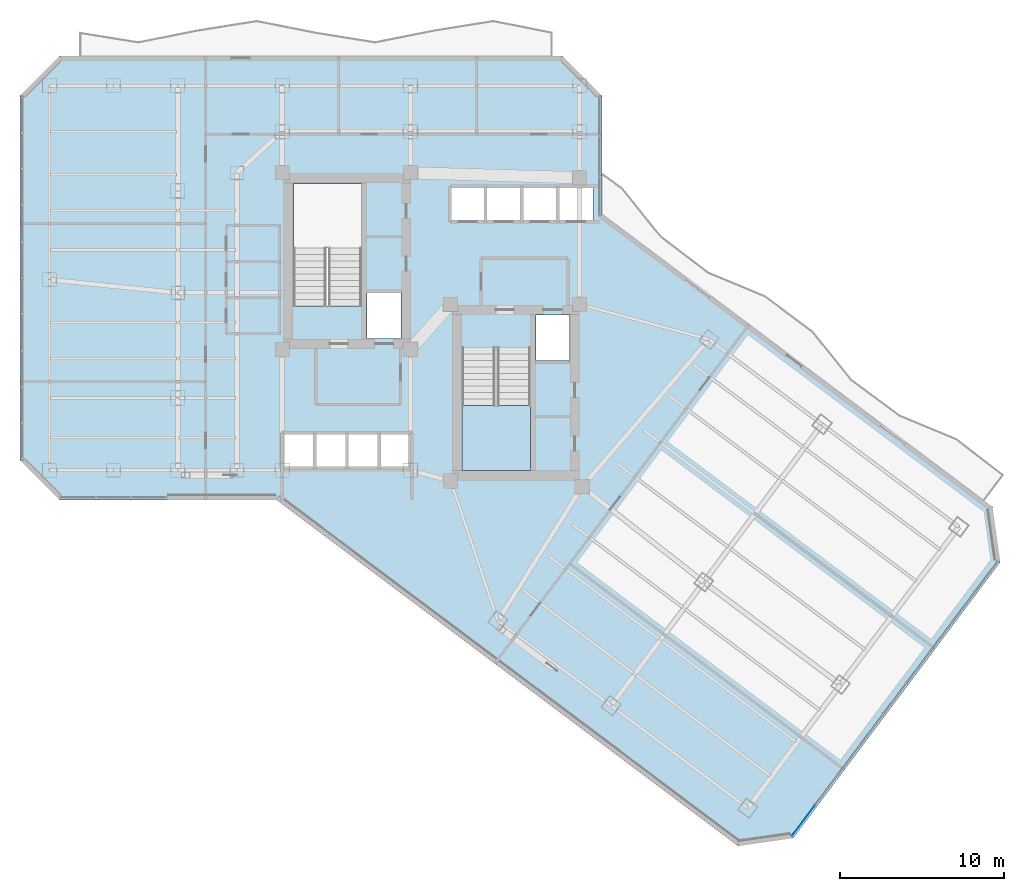
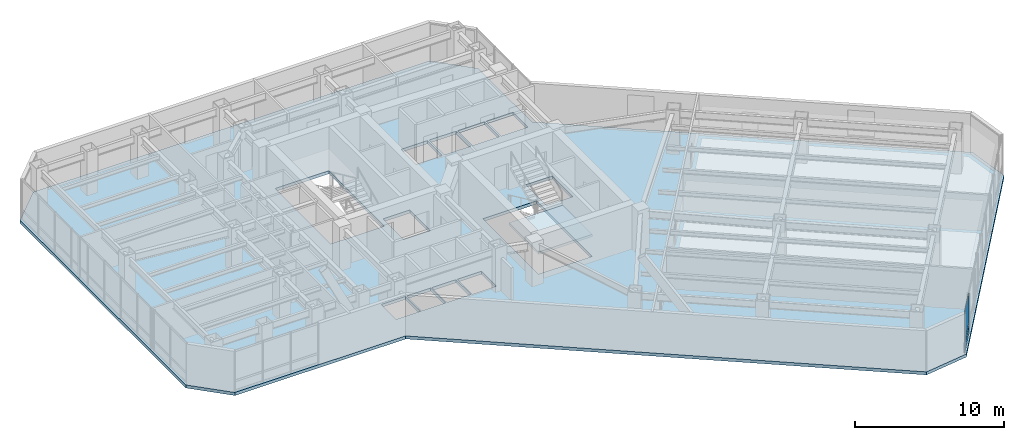
# One storey, part 21 of 30: 2 plates, 2 slabs, 2 elements without a shape of their own.
"""IFC4 building model written with IfcOpenShell, lengths in metres."""

from ifc_helpers import new_model, si_unit, direction, frame, origin, origin_2d, place, context, subcontext, project, spatial, polyline, rectangle, outline, extrude, material, layer, layer_set, type_object, element, aggregate, save


model = new_model("IFC4")

# Units and contexts
model_context = context("Model", 3, precision=1e-05, world=origin(), true_north=direction((0.0, 1.0)))
body_context = subcontext(model_context, "Body", "Model", "MODEL_VIEW")
ifc_project = project(units=[si_unit("LENGTHUNIT", "METRE"), si_unit("AREAUNIT", "SQUARE_METRE"), si_unit("VOLUMEUNIT", "CUBIC_METRE"), si_unit("PLANEANGLEUNIT", "RADIAN"), si_unit("MASSUNIT", "GRAM", prefix="KILO")], contexts=[model_context])

# Site, building, storey
site_placement = place(None, origin())
site = spatial("IfcSite", under=ifc_project, at=site_placement, CompositionType="ELEMENT")
building_placement = place(site_placement, origin())
building = spatial("IfcBuilding", under=site, at=building_placement, Name="Hatsunagi Terrace Concourse", CompositionType="ELEMENT")
storey_placement = place(building_placement, frame((0.0, 0.0, 101.25)))
storey = spatial("IfcBuildingStorey", under=building, at=storey_placement, Name="L26", CompositionType="ELEMENT", Elevation=101.25)

# Curtain wall, plates
ifc_material_1 = material(Name="Anodised Aluminium Alloy 6063-T5", Category="aluminium")
ifc_layer_1 = layer(ifc_material_1, 0.199951171875)
ifc_layer_set_1 = layer_set([ifc_layer_1], Name="OfficeZone1_CW03")
curtain_wall_type = type_object("IfcCurtainWallType", Name="OfficeZone1_CW03", PredefinedType="NOTDEFINED", material=ifc_layer_set_1)
curtain_wall_placement = place(storey_placement, origin())
curtain_wall = element("IfcCurtainWall", 1, at=curtain_wall_placement, inside=storey, type_object=curtain_wall_type, Name="Unitised Curtain Wall CW-03 CW-L26-03", PredefinedType="NOTDEFINED")
ifc_material_2 = material(Name="Warm Terracotta Ceramic Spandrel Panel", Category="masonry")
ifc_layer_2 = layer(ifc_material_2, 0.031982421875)
ifc_layer_set_2 = layer_set([ifc_layer_2], Name="CurtainWallSpandrelPanel_32")
plate_type_1 = type_object("IfcPlateType", Name="CurtainWallSpandrelPanel_32", PredefinedType="SHEET", material=ifc_layer_set_2)
plate_1_placement = place(storey_placement, frame((57.259033203125, 3.8779296875, 0.030029296875), z_axis=(0.0, 0.0, 1.0), x_axis=(-0.599969314634, -0.800023013105, 0.0)))
plate_1 = element("IfcPlate", 2, at=plate_1_placement, type_object=plate_type_1, Name="Terracotta Spandrel Panel SPN-01", PredefinedType="SHEET", context=body_context, shape_type="SweptSolid", body=[
    extrude(rectangle(XDim=2.264892578125, YDim=0.031982421875, at=origin_2d()), origin(), (0.0, 0.0, 1.0), 0.7900390625),
])
ifc_material_3 = material(Name="Low-E Double Insulating Glass 28mm", Category="glass")
ifc_layer_3 = layer(ifc_material_3, 0.028076171875)
ifc_layer_set_3 = layer_set([ifc_layer_3], Name="CurtainWallVisionGlass_28")
plate_type_2 = type_object("IfcPlateType", Name="CurtainWallVisionGlass_28", PredefinedType="CURTAIN_PANEL", material=ifc_layer_set_3)
plate_2_placement = place(storey_placement, frame((57.259033203125, 3.8779296875, 0.880126953125), z_axis=(0.0, 0.0, 1.0), x_axis=(-0.599969314634, -0.800023013105, 0.0)))
plate_2 = element("IfcPlate", 3, at=plate_2_placement, type_object=plate_type_2, Name="Low-E Vision Glass Panel GLZ-01", PredefinedType="CURTAIN_PANEL", context=body_context, shape_type="SweptSolid", body=[
    extrude(rectangle(XDim=2.264892578125, YDim=0.028076171875, at=origin_2d()), origin(), (0.0, 0.0, 1.0), 2.43994140625),
])
aggregate(curtain_wall, [plate_1, plate_2])

# Stair, slab
ifc_material_4 = material(Name="Concrete Fc42", Category="concrete")
stair_type = type_object("IfcStairType", Name="DoglegExitStair_Tower2000_20R_180", PredefinedType="HALF_TURN_STAIR", material=ifc_material_4)
stair_placement = place(storey_placement, origin())
stair = element("IfcStair", 4, at=stair_placement, inside=storey, type_object=stair_type, Name="L26 Core B Protected Exit Stair ST-B", PredefinedType="HALF_TURN_STAIR")
ifc_material_5 = material(Name="Concrete Fc42", Category="concrete")
ifc_layer_4 = layer(ifc_material_5, 0.199951171875)
ifc_layer_set_4 = layer_set([ifc_layer_4], Name="DoglegStairLanding_Tower2000")
slab_type_1 = type_object("IfcSlabType", Name="DoglegStairLanding_Tower2000", PredefinedType="LANDING", material=ifc_layer_set_4)
slab_1_placement = place(storey_placement, frame((0.0, 0.0, 1.60009765625)))
slab_1 = element("IfcSlab", 5, at=slab_1_placement, type_object=slab_type_1, Name="ST-B landing 1", PredefinedType="LANDING", context=body_context, shape_type="SweptSolid", body=[
    extrude(outline(polyline([(36.5, 29.14990234375), (36.5, 25.199951171875), (40.64990234375, 25.199951171875), (40.64990234375, 29.14990234375), (36.5, 29.14990234375)])), origin(), (0.0, 0.0, 1.0), 0.199951171875),
])
aggregate(stair, [slab_1])

# Slab
ifc_material_6 = material(Name="Concrete Fc42", Category="concrete")
ifc_layer_5 = layer(ifc_material_6, 0.25)
ifc_layer_set_5 = layer_set([ifc_layer_5], Name="OfficeCrownSlab_Fc42_250")
slab_type_2 = type_object("IfcSlabType", Name="OfficeCrownSlab_Fc42_250", PredefinedType="FLOOR", material=ifc_layer_set_5)
slab_2_placement = place(storey_placement, frame((0.0, 0.0, -0.25)))
element("IfcSlab", 6, at=slab_2_placement, inside=storey, type_object=slab_type_2, Name="Floor Slab SL-250 L26", PredefinedType="FLOOR", context=body_context, shape_type="SweptSolid", body=[
    extrude(outline(polyline([(45.0, 40.800048828125), (45.0, 48.0), (42.60009765625, 50.39990234375), (12.0, 50.39990234375), (9.60009765625, 48.0), (9.60009765625, 25.800048828125), (12.0, 23.39990234375), (25.199951171875, 23.39990234375), (53.280029296875, 2.340087890625), (56.639892578125, 2.820068359375), (69.239990234375, 19.6201171875), (68.760009765625, 22.97998046875), (45.0, 40.800048828125)]), holes=[polyline([(26.22998046875, 35.205078125), (30.3798828125, 35.205078125), (30.3798828125, 42.659912109375), (26.22998046875, 42.659912109375), (26.22998046875, 35.205078125)]), polyline([(36.5, 25.199951171875), (40.64990234375, 25.199951171875), (40.64990234375, 32.655029296875), (36.5, 32.655029296875), (36.5, 25.199951171875)]), polyline([(30.719970703125, 33.219970703125), (32.780029296875, 33.219970703125), (32.780029296875, 35.97998046875), (30.719970703125, 35.97998046875), (30.719970703125, 33.219970703125)]), polyline([(40.97998046875, 31.8798828125), (43.02001953125, 31.8798828125), (43.02001953125, 34.639892578125), (40.97998046875, 34.639892578125), (40.97998046875, 31.8798828125)]), polyline([(25.6201171875, 25.39990234375), (27.47998046875, 25.39990234375), (27.47998046875, 27.39990234375), (25.6201171875, 27.39990234375), (25.6201171875, 25.39990234375)]), polyline([(27.580078125, 25.39990234375), (29.43994140625, 25.39990234375), (29.43994140625, 27.39990234375), (27.580078125, 27.39990234375), (27.580078125, 25.39990234375)]), polyline([(29.5400390625, 25.39990234375), (31.39990234375, 25.39990234375), (31.39990234375, 27.39990234375), (29.5400390625, 27.39990234375), (29.5400390625, 25.39990234375)]), polyline([(31.5, 25.39990234375), (33.360107421875, 25.39990234375), (33.360107421875, 27.39990234375), (31.5, 27.39990234375), (31.5, 25.39990234375)]), polyline([(35.800048828125, 40.39990234375), (37.85009765625, 40.39990234375), (37.85009765625, 42.39990234375), (35.800048828125, 42.39990234375), (35.800048828125, 40.39990234375)]), polyline([(38.0, 40.39990234375), (40.050048828125, 40.39990234375), (40.050048828125, 42.39990234375), (38.0, 42.39990234375), (38.0, 40.39990234375)]), polyline([(40.199951171875, 40.39990234375), (42.25, 40.39990234375), (42.25, 42.39990234375), (40.199951171875, 42.39990234375), (40.199951171875, 40.39990234375)]), polyline([(42.39990234375, 40.39990234375), (44.449951171875, 40.39990234375), (44.449951171875, 42.39990234375), (42.39990234375, 42.39990234375), (42.39990234375, 40.39990234375)])]), origin(), (0.0, 0.0, 1.0), 0.25),
])

save(model, "model.ifc")
